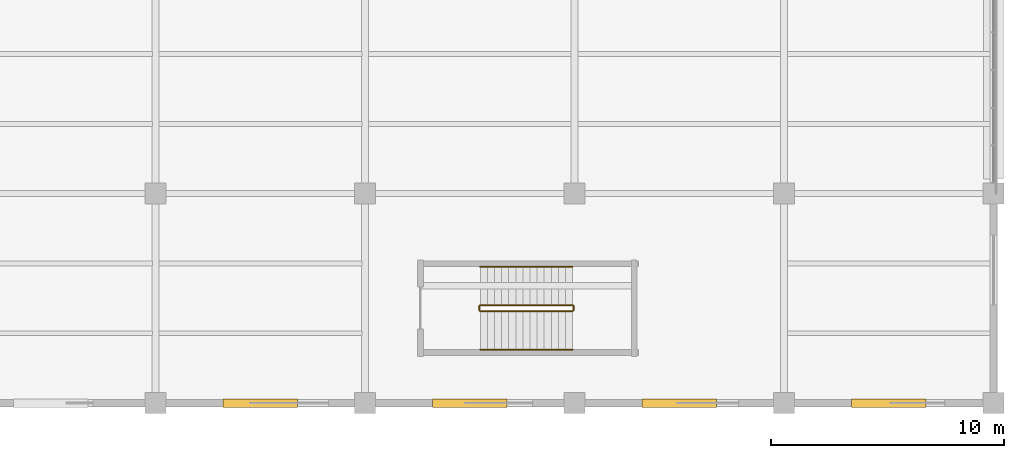
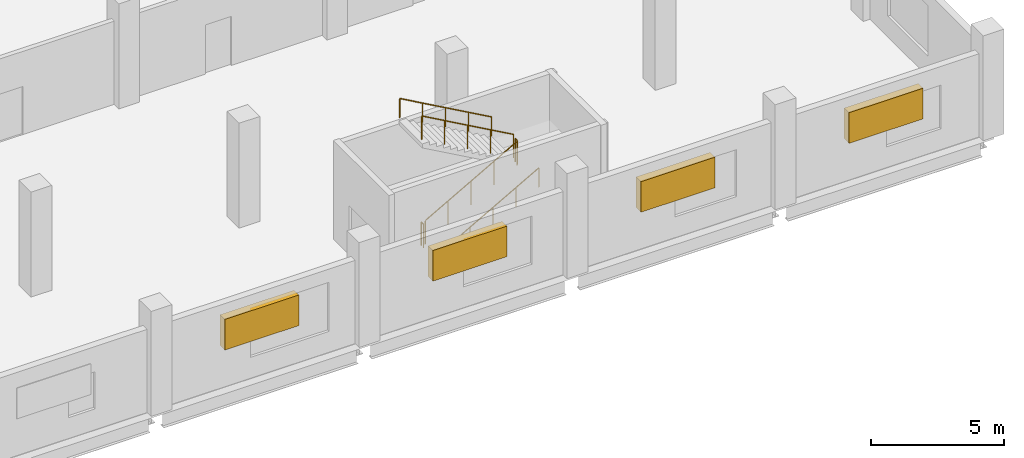
# One storey, part 150 of 183: 6 railings, 4 shading devices.
"""IFC4 building model written with IfcOpenShell, lengths in metres."""

from ifc_helpers import new_model, si_unit, direction, frame, origin, origin_2d, place, context, subcontext, project, spatial, rectangle, circle, extrude, material, layer, layer_set, type_object, element, save


model = new_model("IFC4")

# Units and contexts
model_context = context("Model", 3, precision=1e-05, world=origin(), true_north=direction((0.0, 1.0)))
body_context = subcontext(model_context, "Body", "Model", "MODEL_VIEW")
ifc_project = project(units=[si_unit("LENGTHUNIT", "METRE"), si_unit("AREAUNIT", "SQUARE_METRE"), si_unit("VOLUMEUNIT", "CUBIC_METRE"), si_unit("PLANEANGLEUNIT", "RADIAN"), si_unit("MASSUNIT", "GRAM", prefix="KILO")], contexts=[model_context])

# Site, building, storey
site_placement = place(None, origin())
site = spatial("IfcSite", under=ifc_project, at=site_placement, CompositionType="ELEMENT")
building_placement = place(site_placement, origin())
building = spatial("IfcBuilding", under=site, at=building_placement, Name="Zevraka Park Crest Stadium", CompositionType="ELEMENT")
storey_placement = place(building_placement, frame((0.0, 0.0, 5.39990234375)))
storey = spatial("IfcBuildingStorey", under=building, at=storey_placement, Name="L01", CompositionType="ELEMENT", Elevation=5.39990234375)

# Railings
ifc_material_1 = material(Name="Powder-coated tubular steel stairwell guard", Category="steel")
railing_type_1 = type_object("IfcRailingType", Name="GR03", PredefinedType="GUARDRAIL", material=ifc_material_1)
railing_1_placement = place(storey_placement, frame((201.949951171875, 3.949951171875, 0.171630859375)))
element("IfcRailing", 1, at=railing_1_placement, inside=storey, type_object=railing_type_1, Name="L01 ST54 stair guard 1", PredefinedType="GUARDRAIL", context=body_context, shape_type="SweptSolid", body=[
    extrude(circle(Radius=0.02392578125, at=origin_2d()), frame((0.0, 0.0, 1.076171875), z_axis=(0.871748933509, 0.0, 0.489952851738), x_axis=(0.0, 1.0, 0.0)), (0.0, 0.0, 1.0), 4.54833984375),
    extrude(circle(Radius=0.02099609375, at=origin_2d()), origin(), (0.0, 0.0, 1.0), 1.052001953125),
    extrude(circle(Radius=0.02099609375, at=origin_2d()), frame((0.9912109375, 0.0, 0.55712890625)), (0.0, 0.0, 1.0), 1.052001953125),
    extrude(circle(Radius=0.02099609375, at=origin_2d()), frame((1.982421875, 0.0, 1.1142578125)), (0.0, 0.0, 1.0), 1.052001953125),
    extrude(circle(Radius=0.02099609375, at=origin_2d()), frame((2.973876953125, 0.0, 1.67138671875)), (0.0, 0.0, 1.0), 1.052001953125),
    extrude(circle(Radius=0.02099609375, at=origin_2d()), frame((3.965087890625, 0.0, 2.228515625)), (0.0, 0.0, 1.0), 1.052001953125),
])
railing_2_placement = place(storey_placement, frame((205.965087890625, 4.0, 2.400146484375)))
element("IfcRailing", 2, at=railing_2_placement, inside=storey, type_object=railing_type_1, Name="L01 ST54 stair guard 2", PredefinedType="GUARDRAIL", context=body_context, shape_type="SweptSolid", body=[
    extrude(circle(Radius=0.02392578125, at=origin_2d()), frame((0.0, 0.0, 1.076171875), z_axis=(0.0, 1.0, 0.0), x_axis=(-1.0, 0.0, 0.0)), (0.0, 0.0, 1.0), 0.159912109375),
    extrude(circle(Radius=0.02099609375, at=origin_2d()), origin(), (0.0, 0.0, 1.0), 1.052001953125),
    extrude(circle(Radius=0.02099609375, at=origin_2d()), frame((0.0, 0.159912109375, 0.0)), (0.0, 0.0, 1.0), 1.052001953125),
])
railing_3_placement = place(storey_placement, frame((205.9150390625, 4.2099609375, 2.571533203125)))
element("IfcRailing", 3, at=railing_3_placement, inside=storey, type_object=railing_type_1, Name="L01 ST54 stair guard 3", PredefinedType="GUARDRAIL", context=body_context, shape_type="SweptSolid", body=[
    extrude(circle(Radius=0.02392578125, at=origin_2d()), frame((0.0, 0.0, 1.076171875), z_axis=(-0.871748933509, 0.0, 0.489952851738), x_axis=(0.0, -1.0, 0.0)), (0.0, 0.0, 1.0), 4.54833984375),
    extrude(circle(Radius=0.02099609375, at=origin_2d()), origin(), (0.0, 0.0, 1.0), 1.052001953125),
    extrude(circle(Radius=0.02099609375, at=origin_2d()), frame((-0.9912109375, 0.0, 0.55712890625)), (0.0, 0.0, 1.0), 1.052001953125),
    extrude(circle(Radius=0.02099609375, at=origin_2d()), frame((-1.982421875, 0.0, 1.1142578125)), (0.0, 0.0, 1.0), 1.052001953125),
    extrude(circle(Radius=0.02099609375, at=origin_2d()), frame((-2.973876953125, 0.0, 1.67138671875)), (0.0, 0.0, 1.0), 1.052001953125),
    extrude(circle(Radius=0.02099609375, at=origin_2d()), frame((-3.965087890625, 0.0, 2.228515625)), (0.0, 0.0, 1.0), 1.052001953125),
])
railing_4_placement = place(storey_placement, frame((201.89990234375, 4.0, 0.0)))
element("IfcRailing", 4, at=railing_4_placement, inside=storey, type_object=railing_type_1, Name="L01 ST54 stair guard 4", PredefinedType="GUARDRAIL", context=body_context, shape_type="SweptSolid", body=[
    extrude(circle(Radius=0.02392578125, at=origin_2d()), frame((0.0, 0.0, 1.076171875), z_axis=(0.0, 1.0, 0.0), x_axis=(-1.0, 0.0, 0.0)), (0.0, 0.0, 1.0), 0.159912109375),
    extrude(circle(Radius=0.02099609375, at=origin_2d()), origin(), (0.0, 0.0, 1.0), 1.052001953125),
    extrude(circle(Radius=0.02099609375, at=origin_2d()), frame((0.0, 0.159912109375, 0.0)), (0.0, 0.0, 1.0), 1.052001953125),
])
ifc_material_2 = material(Name="Brushed stainless steel continuous handrail", Category="steel")
railing_type_2 = type_object("IfcRailingType", Name="HR01", PredefinedType="HANDRAIL", material=ifc_material_2)
railing_5_placement = place(storey_placement, frame((201.949951171875, 2.300048828125, 0.171630859375)))
element("IfcRailing", 5, at=railing_5_placement, inside=storey, type_object=railing_type_2, Name="L01 ST54 stair handrail 1", PredefinedType="HANDRAIL", context=body_context, shape_type="SweptSolid", body=[
    extrude(circle(Radius=0.02392578125, at=origin_2d()), frame((0.0, 0.0, 0.8759765625), z_axis=(0.871748933509, 0.0, 0.489952851738), x_axis=(0.0, 1.0, 0.0)), (0.0, 0.0, 1.0), 4.54833984375),
    extrude(circle(Radius=0.02099609375, at=origin_2d()), origin(), (0.0, 0.0, 1.0), 0.851806640625),
    extrude(circle(Radius=0.02099609375, at=origin_2d()), frame((0.9912109375, 0.0, 0.55712890625)), (0.0, 0.0, 1.0), 0.851806640625),
    extrude(circle(Radius=0.02099609375, at=origin_2d()), frame((1.982421875, 0.0, 1.1142578125)), (0.0, 0.0, 1.0), 0.851806640625),
    extrude(circle(Radius=0.02099609375, at=origin_2d()), frame((2.973876953125, 0.0, 1.67138671875)), (0.0, 0.0, 1.0), 0.851806640625),
    extrude(circle(Radius=0.02099609375, at=origin_2d()), frame((3.965087890625, 0.0, 2.228515625)), (0.0, 0.0, 1.0), 0.851806640625),
])
railing_6_placement = place(storey_placement, frame((205.9150390625, 5.860107421875, 2.571533203125)))
element("IfcRailing", 6, at=railing_6_placement, inside=storey, type_object=railing_type_2, Name="L01 ST54 stair handrail 2", PredefinedType="HANDRAIL", context=body_context, shape_type="SweptSolid", body=[
    extrude(circle(Radius=0.02392578125, at=origin_2d()), frame((0.0, 0.0, 0.8759765625), z_axis=(-0.871748933509, 0.0, 0.489952851738), x_axis=(0.0, -1.0, 0.0)), (0.0, 0.0, 1.0), 4.54833984375),
    extrude(circle(Radius=0.02099609375, at=origin_2d()), origin(), (0.0, 0.0, 1.0), 0.851806640625),
    extrude(circle(Radius=0.02099609375, at=origin_2d()), frame((-0.9912109375, 0.0, 0.55712890625)), (0.0, 0.0, 1.0), 0.851806640625),
    extrude(circle(Radius=0.02099609375, at=origin_2d()), frame((-1.982421875, 0.0, 1.1142578125)), (0.0, 0.0, 1.0), 0.851806640625),
    extrude(circle(Radius=0.02099609375, at=origin_2d()), frame((-2.973876953125, 0.0, 1.67138671875)), (0.0, 0.0, 1.0), 0.851806640625),
    extrude(circle(Radius=0.02099609375, at=origin_2d()), frame((-3.965087890625, 0.0, 2.228515625)), (0.0, 0.0, 1.0), 0.851806640625),
])

# Shading devices
ifc_material_3 = material(Name="Terracotta and bronze acoustic ventilation louvre", Category="masonry")
ifc_layer = layer(ifc_material_3, 0.080078125)
ifc_layer_set = layer_set([ifc_layer], Name="Terracotta and bronze acoustic ventilation louvre")
shading_device_type = type_object("IfcShadingDeviceType", Name="LVR01", PredefinedType="USERDEFINED", material=ifc_layer_set)
for number, where, z_axis, x_axis, name in (
    (7, (219.5, 0.0, 1.7001953125), (0.0, 0.0, 1.0), (-1.0, 0.0, 0.0), "Plant Ventilation Louvre LVR01 L01-1"),
    (8, (210.5, 0.0, 1.7001953125), (0.0, 0.0, 1.0), (-1.0, 0.0, 0.0), "Plant Ventilation Louvre LVR01 L01-2"),
    (9, (201.5, 0.0, 1.7001953125), (0.0, 0.0, 1.0), (-1.0, 0.0, 0.0), "Plant Ventilation Louvre LVR01 L01-3"),
    (10, (192.5, 0.0, 1.7001953125), (0.0, 0.0, 1.0), (-1.0, 0.0, 0.0), "Plant Ventilation Louvre LVR01 L01-4"),
):
    element("IfcShadingDevice", number, at=place(storey_placement, frame(where, z_axis=z_axis, x_axis=x_axis)), inside=storey, type_object=shading_device_type, Name=name, ObjectType="LOUVRE", PredefinedType="USERDEFINED", context=body_context, shape_type="SweptSolid", body=[
        extrude(rectangle(XDim=3.199951171875, YDim=0.360107421875, at=origin_2d()), origin(), (0.0, 0.0, 1.0), 1.39990234375),
    ])

save(model, "model.ifc")
